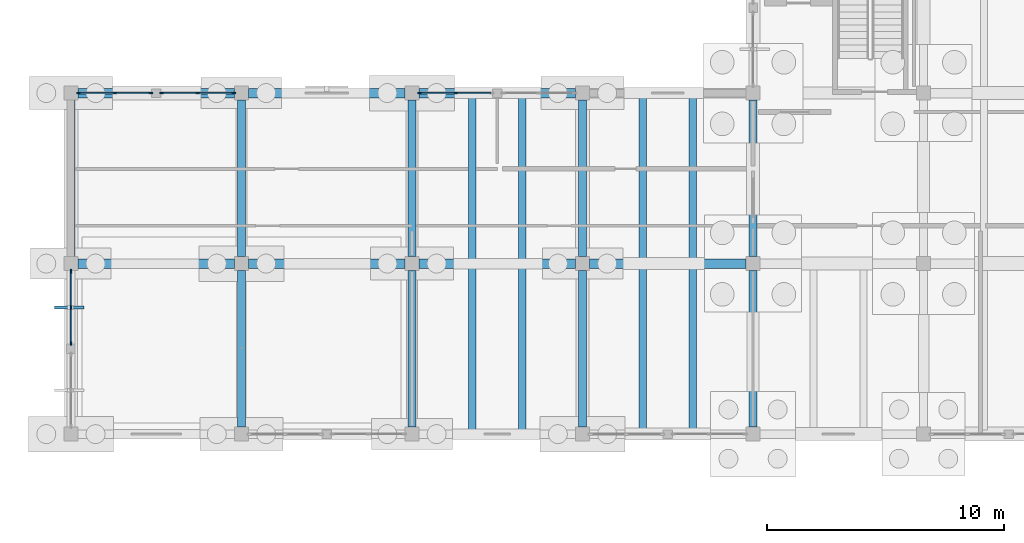
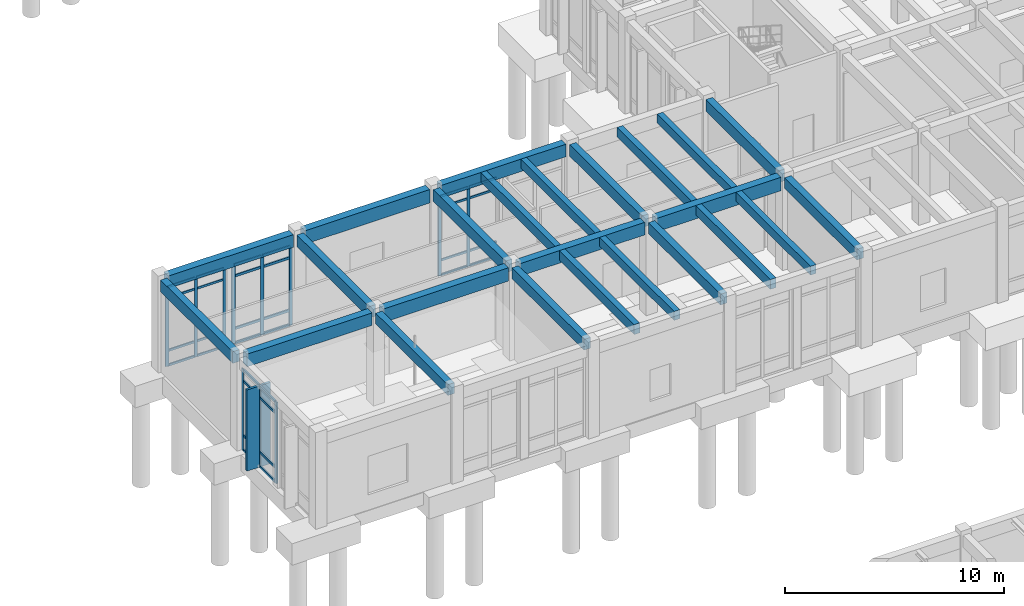
# One storey, part 22 of 93: 44 members, 24 beams, 4 elements without a shape of their own.
"""IFC4 building model written with IfcOpenShell, lengths in metres."""

from ifc_helpers import new_model, si_unit, direction, frame, origin, origin_2d, place, context, subcontext, project, spatial, rectangle, extrude, material, layer, layer_set, material_profile, profile_set, type_object, element, aggregate, save


model = new_model("IFC4")

# Units and contexts
model_context = context("Model", 3, precision=1e-05, world=origin(), true_north=direction((0.0, 1.0)))
body_context = subcontext(model_context, "Body", "Model", "MODEL_VIEW")
ifc_project = project(units=[si_unit("LENGTHUNIT", "METRE"), si_unit("AREAUNIT", "SQUARE_METRE"), si_unit("VOLUMEUNIT", "CUBIC_METRE"), si_unit("PLANEANGLEUNIT", "RADIAN"), si_unit("MASSUNIT", "GRAM", prefix="KILO")], contexts=[model_context])

# Site, building, storey
site_placement = place(None, origin())
site = spatial("IfcSite", under=ifc_project, at=site_placement, CompositionType="ELEMENT")
building_placement = place(site_placement, origin())
building = spatial("IfcBuilding", under=site, at=building_placement, Name="Koriwan Promenade Central Fire Station", CompositionType="ELEMENT")
storey_placement = place(building_placement, origin())
storey = spatial("IfcBuildingStorey", under=building, at=storey_placement, Name="L00", CompositionType="ELEMENT", Elevation=0.0)

# Beams
ifc_material_1 = material(Name="Concrete C35/45", Category="concrete")
ifc_material_profile_1 = material_profile(ifc_material_1, rectangle(XDim=0.300048828125, YDim=0.5, at=origin_2d()), Name="RC-BM-300x500")
ifc_profile_set_1 = profile_set([ifc_material_profile_1], Name="Concrete C35/45")
beam_type_1 = type_object("IfcBeamType", Name="Beam_RC-BM-300x500", PredefinedType="JOIST", material=ifc_profile_set_1)
for number, where, z_axis, x_axis, name in (
    (1, (19.055908203125, 43.375, 4.909912109375), (0.0, 1.0, 0.0), (-1.0, 0.0, 0.0), "V4 L00 secondary joist 383"),
    (2, (26.256103515625, 43.375, 4.909912109375), (0.0, 1.0, 0.0), (-1.0, 0.0, 0.0), "V4 L00 secondary joist 385"),
):
    element("IfcBeam", number, at=place(storey_placement, frame(where, z_axis=z_axis, x_axis=x_axis)), inside=storey, type_object=beam_type_1, Name=name, PredefinedType="JOIST", context=body_context, shape_type="SweptSolid", body=[
        extrude(rectangle(XDim=0.300048828125, YDim=0.5, at=origin_2d()), origin(), (0.0, 0.0, 1.0), 6.824951171875),
    ])
for number, where, z_axis, x_axis, name in (
    (3, (19.055908203125, 50.60009765625, 4.909912109375), (0.0, 1.0, 0.0), (-1.0, 0.0, 0.0), "V4 L00 secondary joist 395"),
    (4, (26.256103515625, 50.60009765625, 4.909912109375), (0.0, 1.0, 0.0), (-1.0, 0.0, 0.0), "V4 L00 secondary joist 397"),
):
    element("IfcBeam", number, at=place(storey_placement, frame(where, z_axis=z_axis, x_axis=x_axis)), inside=storey, type_object=beam_type_1, Name=name, PredefinedType="JOIST", context=body_context, shape_type="SweptSolid", body=[
        extrude(rectangle(XDim=0.300048828125, YDim=0.5, at=origin_2d()), origin(), (0.0, 0.0, 1.0), 6.7998046875),
    ])
ifc_material_profile_2 = material_profile(ifc_material_1, rectangle(XDim=0.300048828125, YDim=0.550048828125, at=origin_2d()), Name="RC-BM-300x550")
ifc_profile_set_2 = profile_set([ifc_material_profile_2], Name="Concrete C35/45")
beam_type_2 = type_object("IfcBeamType", Name="Beam_RC-BM-300x550", PredefinedType="JOIST", material=ifc_profile_set_2)
for number, where, z_axis, x_axis, name in (
    (5, (16.944091796875, 43.375, 4.885009765625), (0.0, 1.0, 0.0), (-1.0, 0.0, 0.0), "V4 L00 secondary joist 382"),
    (6, (24.14404296875, 43.375, 4.885009765625), (0.0, 1.0, 0.0), (-1.0, 0.0, 0.0), "V4 L00 secondary joist 384"),
):
    element("IfcBeam", number, at=place(storey_placement, frame(where, z_axis=z_axis, x_axis=x_axis)), inside=storey, type_object=beam_type_2, Name=name, PredefinedType="JOIST", context=body_context, shape_type="SweptSolid", body=[
        extrude(rectangle(XDim=0.300048828125, YDim=0.550048828125, at=origin_2d()), origin(), (0.0, 0.0, 1.0), 6.824951171875),
    ])
for number, where, z_axis, x_axis, name in (
    (7, (16.944091796875, 50.60009765625, 4.885009765625), (0.0, 1.0, 0.0), (-1.0, 0.0, 0.0), "V4 L00 secondary joist 394"),
    (8, (24.14404296875, 50.60009765625, 4.885009765625), (0.0, 1.0, 0.0), (-1.0, 0.0, 0.0), "V4 L00 secondary joist 396"),
):
    element("IfcBeam", number, at=place(storey_placement, frame(where, z_axis=z_axis, x_axis=x_axis)), inside=storey, type_object=beam_type_2, Name=name, PredefinedType="JOIST", context=body_context, shape_type="SweptSolid", body=[
        extrude(rectangle(XDim=0.300048828125, YDim=0.550048828125, at=origin_2d()), origin(), (0.0, 0.0, 1.0), 6.7998046875),
    ])
ifc_material_profile_3 = material_profile(ifc_material_1, rectangle(XDim=0.35009765625, YDim=0.60009765625, at=origin_2d()), Name="RC-BM-350x600")
ifc_profile_set_3 = profile_set([ifc_material_profile_3], Name="Concrete C35/45")
beam_type_3 = type_object("IfcBeamType", Name="Beam_RC-BM-350x600", PredefinedType="BEAM", material=ifc_profile_set_3)
for number, where, z_axis, x_axis, name in (
    (9, (7.199951171875, 43.5, 4.85009765625), (0.0, 1.0, 0.0), (-1.0, 0.0, 0.0), "V4 L00 girder Y-356"),
    (10, (14.39990234375, 43.5, 4.860107421875), (0.0, 1.0, 0.0), (-1.0, 0.0, 0.0), "V4 L00 girder Y-358"),
    (11, (21.60009765625, 43.5, 4.860107421875), (0.0, 1.0, 0.0), (-1.0, 0.0, 0.0), "V4 L00 girder Y-360"),
    (12, (28.800048828125, 43.5, 4.85009765625), (0.0, 1.0, 0.0), (-1.0, 0.0, 0.0), "V4 L00 girder Y-362"),
):
    element("IfcBeam", number, at=place(storey_placement, frame(where, z_axis=z_axis, x_axis=x_axis)), inside=storey, type_object=beam_type_3, Name=name, PredefinedType="BEAM", context=body_context, shape_type="SweptSolid", body=[
        extrude(rectangle(XDim=0.35009765625, YDim=0.60009765625, at=origin_2d()), origin(), (0.0, 0.0, 1.0), 6.60009765625),
    ])
ifc_material_profile_4 = material_profile(ifc_material_1, rectangle(XDim=0.35009765625, YDim=0.64990234375, at=origin_2d()), Name="RC-BM-350x650")
ifc_profile_set_4 = profile_set([ifc_material_profile_4], Name="Concrete C35/45")
beam_type_4 = type_object("IfcBeamType", Name="Beam_RC-BM-350x650", PredefinedType="BEAM", material=ifc_profile_set_4)
for number, where, z_axis, x_axis, name in (
    (13, (0.0, 50.699951171875, 4.824951171875), (0.0, 1.0, 0.0), (-1.0, 0.0, 0.0), "V4 L00 girder Y-355"),
    (14, (7.199951171875, 50.699951171875, 4.824951171875), (0.0, 1.0, 0.0), (-1.0, 0.0, 0.0), "V4 L00 girder Y-357"),
    (15, (14.39990234375, 50.699951171875, 4.8349609375), (0.0, 1.0, 0.0), (-1.0, 0.0, 0.0), "V4 L00 girder Y-359"),
    (16, (21.60009765625, 50.699951171875, 4.8349609375), (0.0, 1.0, 0.0), (-1.0, 0.0, 0.0), "V4 L00 girder Y-361"),
    (17, (28.800048828125, 50.699951171875, 4.824951171875), (0.0, 1.0, 0.0), (-1.0, 0.0, 0.0), "V4 L00 girder Y-363"),
):
    element("IfcBeam", number, at=place(storey_placement, frame(where, z_axis=z_axis, x_axis=x_axis)), inside=storey, type_object=beam_type_4, Name=name, PredefinedType="BEAM", context=body_context, shape_type="SweptSolid", body=[
        extrude(rectangle(XDim=0.35009765625, YDim=0.64990234375, at=origin_2d()), origin(), (0.0, 0.0, 1.0), 6.60009765625),
    ])
ifc_material_profile_5 = material_profile(ifc_material_1, rectangle(XDim=0.39990234375, YDim=0.699951171875, at=origin_2d()), Name="RC-BM-400x700")
ifc_profile_set_5 = profile_set([ifc_material_profile_5], Name="Concrete C35/45")
beam_type_5 = type_object("IfcBeamType", Name="Beam_RC-BM-400x700", PredefinedType="BEAM", material=ifc_profile_set_5)
beam_1_placement = place(storey_placement, frame((0.300048828125, 50.39990234375, 4.800048828125), z_axis=(1.0, 0.0, 0.0), x_axis=(0.0, 1.0, 0.0)))
element("IfcBeam", 18, at=beam_1_placement, inside=storey, type_object=beam_type_5, Name="V4 L00 girder X-332", PredefinedType="BEAM", context=body_context, shape_type="SweptSolid", body=[
    extrude(rectangle(XDim=0.39990234375, YDim=0.699951171875, at=origin_2d()), origin(), (0.0, 0.0, 1.0), 6.599853515625),
])
beam_2_placement = place(storey_placement, frame((14.699951171875, 50.39990234375, 4.81005859375), z_axis=(1.0, 0.0, 0.0), x_axis=(0.0, 1.0, 0.0)))
element("IfcBeam", 19, at=beam_2_placement, inside=storey, type_object=beam_type_5, Name="V4 L00 girder X-334", PredefinedType="BEAM", context=body_context, shape_type="SweptSolid", body=[
    extrude(rectangle(XDim=0.39990234375, YDim=0.699951171875, at=origin_2d()), origin(), (0.0, 0.0, 1.0), 6.60009765625),
])
beam_3_placement = place(storey_placement, frame((0.300048828125, 57.60009765625, 4.800048828125), z_axis=(1.0, 0.0, 0.0), x_axis=(0.0, 1.0, 0.0)))
element("IfcBeam", 20, at=beam_3_placement, inside=storey, type_object=beam_type_5, Name="V4 L00 girder X-340", PredefinedType="BEAM", context=body_context, shape_type="SweptSolid", body=[
    extrude(rectangle(XDim=0.39990234375, YDim=0.699951171875, at=origin_2d()), origin(), (0.0, 0.0, 1.0), 6.599853515625),
])
beam_4_placement = place(storey_placement, frame((14.699951171875, 57.60009765625, 4.81005859375), z_axis=(1.0, 0.0, 0.0), x_axis=(0.0, 1.0, 0.0)))
element("IfcBeam", 21, at=beam_4_placement, inside=storey, type_object=beam_type_5, Name="V4 L00 girder X-342", PredefinedType="BEAM", context=body_context, shape_type="SweptSolid", body=[
    extrude(rectangle(XDim=0.39990234375, YDim=0.699951171875, at=origin_2d()), origin(), (0.0, 0.0, 1.0), 6.60009765625),
])
ifc_material_profile_6 = material_profile(ifc_material_1, rectangle(XDim=0.39990234375, YDim=0.75, at=origin_2d()), Name="RC-BM-400x750")
ifc_profile_set_6 = profile_set([ifc_material_profile_6], Name="Concrete C35/45")
beam_type_6 = type_object("IfcBeamType", Name="Beam_RC-BM-400x750", PredefinedType="BEAM", material=ifc_profile_set_6)
for number, where, z_axis, x_axis, name in (
    (22, (7.5, 50.39990234375, 4.77490234375), (1.0, 0.0, 0.0), (0.0, 1.0, 0.0), "V4 L00 girder X-333"),
    (23, (21.89990234375, 50.39990234375, 4.784912109375), (1.0, 0.0, 0.0), (0.0, 1.0, 0.0), "V4 L00 girder X-335"),
    (24, (7.5, 57.60009765625, 4.77490234375), (1.0, 0.0, 0.0), (0.0, 1.0, 0.0), "V4 L00 girder X-341"),
):
    element("IfcBeam", number, at=place(storey_placement, frame(where, z_axis=z_axis, x_axis=x_axis)), inside=storey, type_object=beam_type_6, Name=name, PredefinedType="BEAM", context=body_context, shape_type="SweptSolid", body=[
        extrude(rectangle(XDim=0.39990234375, YDim=0.75, at=origin_2d()), origin(), (0.0, 0.0, 1.0), 6.60009765625),
    ])

# Curtain wall, members
ifc_material_2 = material(Name="Aluminium EN AW-6063-T6 and low-E glazing", Category="aluminium")
ifc_layer_1 = layer(ifc_material_2, 0.159912109375, Name="Aluminium EN AW-6063-T6 and low-E glazing")
ifc_layer_set_1 = layer_set([ifc_layer_1], Name="Aluminium EN AW-6063-T6 and low-E glazing")
curtain_wall_type_1 = type_object("IfcCurtainWallType", Name="CurtainWall_35_310x444", PredefinedType="USERDEFINED", material=ifc_layer_set_1)
curtain_wall_1_placement = place(storey_placement, origin())
curtain_wall_1 = element("IfcCurtainWall", 25, at=curtain_wall_1_placement, inside=storey, type_object=curtain_wall_type_1, Name="V4 L00 unitised curtain wall 083", ObjectType="UNITISED CURTAIN WALL", PredefinedType="USERDEFINED")
ifc_material_3 = material(Name="Aluminium EN AW-6063-T6", Category="aluminium")
ifc_material_profile_7 = material_profile(ifc_material_3, rectangle(XDim=0.06494140625, YDim=0.159912109375, at=origin_2d()), Name="ALU-MUL-65x160")
ifc_profile_set_7 = profile_set([ifc_material_profile_7], Name="Aluminium EN AW-6063-T6")
member_type_1 = type_object("IfcMemberType", Name="CWMullion_ALU-MUL-65x160", PredefinedType="MULLION", material=ifc_profile_set_7)
member_1_placement = place(storey_placement, frame((0.33251953125, 57.60009765625, 0.0), z_axis=(0.0, 0.0, 1.0), x_axis=(0.0, 1.0, 0.0)))
member_1 = element("IfcMember", 26, at=member_1_placement, type_object=member_type_1, Name="CW-35 mullion 1", PredefinedType="MULLION", context=body_context, shape_type="SweptSolid", body=[
    extrude(rectangle(XDim=0.06494140625, YDim=0.159912109375, at=origin_2d()), origin(), (0.0, 0.0, 1.0), 4.43994140625),
])
member_2_placement = place(storey_placement, frame((1.85009765625, 57.60009765625, 0.0), z_axis=(0.0, 0.0, 1.0), x_axis=(0.0, 1.0, 0.0)))
member_2 = element("IfcMember", 27, at=member_2_placement, type_object=member_type_1, Name="CW-35 mullion 2", PredefinedType="MULLION", context=body_context, shape_type="SweptSolid", body=[
    extrude(rectangle(XDim=0.06494140625, YDim=0.159912109375, at=origin_2d()), origin(), (0.0, 0.0, 1.0), 4.43994140625),
])
member_3_placement = place(storey_placement, frame((3.367431640625, 57.60009765625, 0.0), z_axis=(0.0, 0.0, 1.0), x_axis=(0.0, 1.0, 0.0)))
member_3 = element("IfcMember", 28, at=member_3_placement, type_object=member_type_1, Name="CW-35 mullion 3", PredefinedType="MULLION", context=body_context, shape_type="SweptSolid", body=[
    extrude(rectangle(XDim=0.06494140625, YDim=0.159912109375, at=origin_2d()), origin(), (0.0, 0.0, 1.0), 4.43994140625),
])

ifc_layer_2 = layer(ifc_material_2, 0.159912109375, Name="Aluminium EN AW-6063-T6 and low-E glazing")
ifc_layer_set_2 = layer_set([ifc_layer_2], Name="Aluminium EN AW-6063-T6 and low-E glazing")
curtain_wall_type_2 = type_object("IfcCurtainWallType", Name="CurtainWall_37_310x445", PredefinedType="USERDEFINED", material=ifc_layer_set_2)
curtain_wall_2_placement = place(storey_placement, origin())
curtain_wall_2 = element("IfcCurtainWall", 29, at=curtain_wall_2_placement, inside=storey, type_object=curtain_wall_type_2, Name="V4 L00 unitised curtain wall 085", ObjectType="UNITISED CURTAIN WALL", PredefinedType="USERDEFINED")
member_4_placement = place(storey_placement, frame((14.732421875, 57.60009765625, 0.0), z_axis=(0.0, 0.0, 1.0), x_axis=(0.0, 1.0, 0.0)))
member_4 = element("IfcMember", 30, at=member_4_placement, type_object=member_type_1, Name="CW-37 mullion 1", PredefinedType="MULLION", context=body_context, shape_type="SweptSolid", body=[
    extrude(rectangle(XDim=0.06494140625, YDim=0.159912109375, at=origin_2d()), origin(), (0.0, 0.0, 1.0), 4.449951171875),
])
member_5_placement = place(storey_placement, frame((16.25, 57.60009765625, 0.0), z_axis=(0.0, 0.0, 1.0), x_axis=(0.0, 1.0, 0.0)))
member_5 = element("IfcMember", 31, at=member_5_placement, type_object=member_type_1, Name="CW-37 mullion 2", PredefinedType="MULLION", context=body_context, shape_type="SweptSolid", body=[
    extrude(rectangle(XDim=0.06494140625, YDim=0.159912109375, at=origin_2d()), origin(), (0.0, 0.0, 1.0), 4.449951171875),
])

ifc_layer_3 = layer(ifc_material_2, 0.159912109375, Name="Aluminium EN AW-6063-T6 and low-E glazing")
ifc_layer_set_3 = layer_set([ifc_layer_3], Name="Aluminium EN AW-6063-T6 and low-E glazing")
curtain_wall_type_3 = type_object("IfcCurtainWallType", Name="CurtainWall_34_310x454", PredefinedType="USERDEFINED", material=ifc_layer_set_3)
curtain_wall_3_placement = place(storey_placement, origin())
curtain_wall_3 = element("IfcCurtainWall", 32, at=curtain_wall_3_placement, inside=storey, type_object=curtain_wall_type_3, Name="V4 L00 unitised curtain wall 082", ObjectType="UNITISED CURTAIN WALL", PredefinedType="USERDEFINED")
ifc_material_profile_8 = material_profile(ifc_material_3, rectangle(XDim=0.074951171875, YDim=0.179931640625, at=origin_2d()), Name="ALU-MUL-75x180")
ifc_profile_set_8 = profile_set([ifc_material_profile_8], Name="Aluminium EN AW-6063-T6")
member_type_2 = type_object("IfcMemberType", Name="CWMullion_ALU-MUL-75x180", PredefinedType="MULLION", material=ifc_profile_set_8)
member_6_placement = place(storey_placement, frame((0.0, 47.03759765625, 0.0), z_axis=(0.0, 0.0, 1.0), x_axis=(-1.0, 0.0, 0.0)))
member_6 = element("IfcMember", 33, at=member_6_placement, type_object=member_type_2, Name="CW-34 mullion 1", PredefinedType="MULLION", context=body_context, shape_type="SweptSolid", body=[
    extrude(rectangle(XDim=0.074951171875, YDim=0.179931640625, at=origin_2d()), origin(), (0.0, 0.0, 1.0), 4.5400390625),
])
member_7_placement = place(storey_placement, frame((0.0, 48.550048828125, 0.0), z_axis=(0.0, 0.0, 1.0), x_axis=(-1.0, 0.0, 0.0)))
member_7 = element("IfcMember", 34, at=member_7_placement, type_object=member_type_2, Name="CW-34 mullion 2", PredefinedType="MULLION", context=body_context, shape_type="SweptSolid", body=[
    extrude(rectangle(XDim=0.074951171875, YDim=0.179931640625, at=origin_2d()), origin(), (0.0, 0.0, 1.0), 4.5400390625),
])
member_8_placement = place(storey_placement, frame((0.0, 50.0625, 0.0), z_axis=(0.0, 0.0, 1.0), x_axis=(-1.0, 0.0, 0.0)))
member_8 = element("IfcMember", 35, at=member_8_placement, type_object=member_type_2, Name="CW-34 mullion 3", PredefinedType="MULLION", context=body_context, shape_type="SweptSolid", body=[
    extrude(rectangle(XDim=0.074951171875, YDim=0.179931640625, at=origin_2d()), origin(), (0.0, 0.0, 1.0), 4.5400390625),
])

ifc_layer_4 = layer(ifc_material_2, 0.159912109375, Name="Aluminium EN AW-6063-T6 and low-E glazing")
ifc_layer_set_4 = layer_set([ifc_layer_4], Name="Aluminium EN AW-6063-T6 and low-E glazing")
curtain_wall_type_4 = type_object("IfcCurtainWallType", Name="CurtainWall_36_310x444", PredefinedType="USERDEFINED", material=ifc_layer_set_4)
curtain_wall_4_placement = place(storey_placement, origin())
curtain_wall_4 = element("IfcCurtainWall", 36, at=curtain_wall_4_placement, inside=storey, type_object=curtain_wall_type_4, Name="V4 L00 unitised curtain wall 084", ObjectType="UNITISED CURTAIN WALL", PredefinedType="USERDEFINED")
member_9_placement = place(storey_placement, frame((3.83740234375, 57.60009765625, 0.0), z_axis=(0.0, 0.0, 1.0), x_axis=(0.0, 1.0, 0.0)))
member_9 = element("IfcMember", 37, at=member_9_placement, type_object=member_type_2, Name="CW-36 mullion 1", PredefinedType="MULLION", context=body_context, shape_type="SweptSolid", body=[
    extrude(rectangle(XDim=0.074951171875, YDim=0.179931640625, at=origin_2d()), origin(), (0.0, 0.0, 1.0), 4.43994140625),
])
member_10_placement = place(storey_placement, frame((5.35009765625, 57.60009765625, 0.0), z_axis=(0.0, 0.0, 1.0), x_axis=(0.0, 1.0, 0.0)))
member_10 = element("IfcMember", 38, at=member_10_placement, type_object=member_type_2, Name="CW-36 mullion 2", PredefinedType="MULLION", context=body_context, shape_type="SweptSolid", body=[
    extrude(rectangle(XDim=0.074951171875, YDim=0.179931640625, at=origin_2d()), origin(), (0.0, 0.0, 1.0), 4.43994140625),
])
member_11_placement = place(storey_placement, frame((6.862548828125, 57.60009765625, 0.0), z_axis=(0.0, 0.0, 1.0), x_axis=(0.0, 1.0, 0.0)))
member_11 = element("IfcMember", 39, at=member_11_placement, type_object=member_type_2, Name="CW-36 mullion 3", PredefinedType="MULLION", context=body_context, shape_type="SweptSolid", body=[
    extrude(rectangle(XDim=0.074951171875, YDim=0.179931640625, at=origin_2d()), origin(), (0.0, 0.0, 1.0), 4.43994140625),
])

# Member
ifc_material_profile_9 = material_profile(ifc_material_3, rectangle(XDim=0.06494140625, YDim=0.1201171875, at=origin_2d()), Name="ALU-TRN-65x120")
ifc_profile_set_9 = profile_set([ifc_material_profile_9], Name="Aluminium EN AW-6063-T6")
member_type_3 = type_object("IfcMemberType", Name="CWTransom_ALU-TRN-65x120", PredefinedType="USERDEFINED", material=ifc_profile_set_9)
member_12_placement = place(storey_placement, frame((0.364990234375, 57.60009765625, 0.032470703125), z_axis=(1.0, 0.0, 0.0), x_axis=(0.0, 1.0, 0.0)))
member_12 = element("IfcMember", 40, at=member_12_placement, type_object=member_type_3, Name="CW-35 transom 1.1", ObjectType="TRANSOM", PredefinedType="USERDEFINED", context=body_context, shape_type="SweptSolid", body=[
    extrude(rectangle(XDim=0.06494140625, YDim=0.1201171875, at=origin_2d()), origin(), (0.0, 0.0, 1.0), 1.452392578125),
])

member_13_placement = place(storey_placement, frame((0.364990234375, 57.60009765625, 0.85009765625), z_axis=(1.0, 0.0, 0.0), x_axis=(0.0, 1.0, 0.0)))
member_13 = element("IfcMember", 41, at=member_13_placement, type_object=member_type_3, Name="CW-35 transom 1.2", ObjectType="TRANSOM", PredefinedType="USERDEFINED", context=body_context, shape_type="SweptSolid", body=[
    extrude(rectangle(XDim=0.06494140625, YDim=0.1201171875, at=origin_2d()), origin(), (0.0, 0.0, 1.0), 1.452392578125),
])

member_14_placement = place(storey_placement, frame((0.364990234375, 57.60009765625, 3.7900390625), z_axis=(1.0, 0.0, 0.0), x_axis=(0.0, 1.0, 0.0)))
member_14 = element("IfcMember", 42, at=member_14_placement, type_object=member_type_3, Name="CW-35 transom 1.3", ObjectType="TRANSOM", PredefinedType="USERDEFINED", context=body_context, shape_type="SweptSolid", body=[
    extrude(rectangle(XDim=0.06494140625, YDim=0.1201171875, at=origin_2d()), origin(), (0.0, 0.0, 1.0), 1.452392578125),
])

member_15_placement = place(storey_placement, frame((0.364990234375, 57.60009765625, 4.407470703125), z_axis=(1.0, 0.0, 0.0), x_axis=(0.0, 1.0, 0.0)))
member_15 = element("IfcMember", 43, at=member_15_placement, type_object=member_type_3, Name="CW-35 transom 1.4", ObjectType="TRANSOM", PredefinedType="USERDEFINED", context=body_context, shape_type="SweptSolid", body=[
    extrude(rectangle(XDim=0.06494140625, YDim=0.1201171875, at=origin_2d()), origin(), (0.0, 0.0, 1.0), 1.452392578125),
])

member_16_placement = place(storey_placement, frame((1.882568359375, 57.60009765625, 0.032470703125), z_axis=(1.0, 0.0, 0.0), x_axis=(0.0, 1.0, 0.0)))
member_16 = element("IfcMember", 44, at=member_16_placement, type_object=member_type_3, Name="CW-35 transom 2.1", ObjectType="TRANSOM", PredefinedType="USERDEFINED", context=body_context, shape_type="SweptSolid", body=[
    extrude(rectangle(XDim=0.06494140625, YDim=0.1201171875, at=origin_2d()), origin(), (0.0, 0.0, 1.0), 1.452392578125),
])

member_17_placement = place(storey_placement, frame((1.882568359375, 57.60009765625, 0.85009765625), z_axis=(1.0, 0.0, 0.0), x_axis=(0.0, 1.0, 0.0)))
member_17 = element("IfcMember", 45, at=member_17_placement, type_object=member_type_3, Name="CW-35 transom 2.2", ObjectType="TRANSOM", PredefinedType="USERDEFINED", context=body_context, shape_type="SweptSolid", body=[
    extrude(rectangle(XDim=0.06494140625, YDim=0.1201171875, at=origin_2d()), origin(), (0.0, 0.0, 1.0), 1.452392578125),
])

member_18_placement = place(storey_placement, frame((1.882568359375, 57.60009765625, 3.7900390625), z_axis=(1.0, 0.0, 0.0), x_axis=(0.0, 1.0, 0.0)))
member_18 = element("IfcMember", 46, at=member_18_placement, type_object=member_type_3, Name="CW-35 transom 2.3", ObjectType="TRANSOM", PredefinedType="USERDEFINED", context=body_context, shape_type="SweptSolid", body=[
    extrude(rectangle(XDim=0.06494140625, YDim=0.1201171875, at=origin_2d()), origin(), (0.0, 0.0, 1.0), 1.452392578125),
])

member_19_placement = place(storey_placement, frame((1.882568359375, 57.60009765625, 4.407470703125), z_axis=(1.0, 0.0, 0.0), x_axis=(0.0, 1.0, 0.0)))
member_19 = element("IfcMember", 47, at=member_19_placement, type_object=member_type_3, Name="CW-35 transom 2.4", ObjectType="TRANSOM", PredefinedType="USERDEFINED", context=body_context, shape_type="SweptSolid", body=[
    extrude(rectangle(XDim=0.06494140625, YDim=0.1201171875, at=origin_2d()), origin(), (0.0, 0.0, 1.0), 1.452392578125),
])

aggregate(curtain_wall_1, [member_1, member_2, member_3, member_12, member_13, member_14, member_15, member_16, member_17, member_18, member_19])

member_20_placement = place(storey_placement, frame((14.764892578125, 57.60009765625, 0.032470703125), z_axis=(1.0, 0.0, 0.0), x_axis=(0.0, 1.0, 0.0)))
member_20 = element("IfcMember", 48, at=member_20_placement, type_object=member_type_3, Name="CW-37 transom 1.1", ObjectType="TRANSOM", PredefinedType="USERDEFINED", context=body_context, shape_type="SweptSolid", body=[
    extrude(rectangle(XDim=0.06494140625, YDim=0.1201171875, at=origin_2d()), origin(), (0.0, 0.0, 1.0), 1.45263671875),
])

member_21_placement = place(storey_placement, frame((14.764892578125, 57.60009765625, 0.85009765625), z_axis=(1.0, 0.0, 0.0), x_axis=(0.0, 1.0, 0.0)))
member_21 = element("IfcMember", 49, at=member_21_placement, type_object=member_type_3, Name="CW-37 transom 1.2", ObjectType="TRANSOM", PredefinedType="USERDEFINED", context=body_context, shape_type="SweptSolid", body=[
    extrude(rectangle(XDim=0.06494140625, YDim=0.1201171875, at=origin_2d()), origin(), (0.0, 0.0, 1.0), 1.45263671875),
])

member_22_placement = place(storey_placement, frame((14.764892578125, 57.60009765625, 3.800048828125), z_axis=(1.0, 0.0, 0.0), x_axis=(0.0, 1.0, 0.0)))
member_22 = element("IfcMember", 50, at=member_22_placement, type_object=member_type_3, Name="CW-37 transom 1.3", ObjectType="TRANSOM", PredefinedType="USERDEFINED", context=body_context, shape_type="SweptSolid", body=[
    extrude(rectangle(XDim=0.06494140625, YDim=0.1201171875, at=origin_2d()), origin(), (0.0, 0.0, 1.0), 1.45263671875),
])

member_23_placement = place(storey_placement, frame((14.764892578125, 57.60009765625, 4.41748046875), z_axis=(1.0, 0.0, 0.0), x_axis=(0.0, 1.0, 0.0)))
member_23 = element("IfcMember", 51, at=member_23_placement, type_object=member_type_3, Name="CW-37 transom 1.4", ObjectType="TRANSOM", PredefinedType="USERDEFINED", context=body_context, shape_type="SweptSolid", body=[
    extrude(rectangle(XDim=0.06494140625, YDim=0.1201171875, at=origin_2d()), origin(), (0.0, 0.0, 1.0), 1.45263671875),
])

member_24_placement = place(storey_placement, frame((16.282470703125, 57.60009765625, 0.032470703125), z_axis=(1.0, 0.0, 0.0), x_axis=(0.0, 1.0, 0.0)))
member_24 = element("IfcMember", 52, at=member_24_placement, type_object=member_type_3, Name="CW-37 transom 2.1", ObjectType="TRANSOM", PredefinedType="USERDEFINED", context=body_context, shape_type="SweptSolid", body=[
    extrude(rectangle(XDim=0.06494140625, YDim=0.1201171875, at=origin_2d()), origin(), (0.0, 0.0, 1.0), 1.45263671875),
])

member_25_placement = place(storey_placement, frame((16.282470703125, 57.60009765625, 0.85009765625), z_axis=(1.0, 0.0, 0.0), x_axis=(0.0, 1.0, 0.0)))
member_25 = element("IfcMember", 53, at=member_25_placement, type_object=member_type_3, Name="CW-37 transom 2.2", ObjectType="TRANSOM", PredefinedType="USERDEFINED", context=body_context, shape_type="SweptSolid", body=[
    extrude(rectangle(XDim=0.06494140625, YDim=0.1201171875, at=origin_2d()), origin(), (0.0, 0.0, 1.0), 1.45263671875),
])

member_26_placement = place(storey_placement, frame((16.282470703125, 57.60009765625, 3.800048828125), z_axis=(1.0, 0.0, 0.0), x_axis=(0.0, 1.0, 0.0)))
member_26 = element("IfcMember", 54, at=member_26_placement, type_object=member_type_3, Name="CW-37 transom 2.3", ObjectType="TRANSOM", PredefinedType="USERDEFINED", context=body_context, shape_type="SweptSolid", body=[
    extrude(rectangle(XDim=0.06494140625, YDim=0.1201171875, at=origin_2d()), origin(), (0.0, 0.0, 1.0), 1.45263671875),
])

member_27_placement = place(storey_placement, frame((16.282470703125, 57.60009765625, 4.41748046875), z_axis=(1.0, 0.0, 0.0), x_axis=(0.0, 1.0, 0.0)))
member_27 = element("IfcMember", 55, at=member_27_placement, type_object=member_type_3, Name="CW-37 transom 2.4", ObjectType="TRANSOM", PredefinedType="USERDEFINED", context=body_context, shape_type="SweptSolid", body=[
    extrude(rectangle(XDim=0.06494140625, YDim=0.1201171875, at=origin_2d()), origin(), (0.0, 0.0, 1.0), 1.45263671875),
])

aggregate(curtain_wall_2, [member_4, member_5, member_20, member_21, member_22, member_23, member_24, member_25, member_26, member_27])

ifc_material_profile_10 = material_profile(ifc_material_3, rectangle(XDim=0.074951171875, YDim=0.139892578125, at=origin_2d()), Name="ALU-TRN-75x140")
ifc_profile_set_10 = profile_set([ifc_material_profile_10], Name="Aluminium EN AW-6063-T6")
member_type_4 = type_object("IfcMemberType", Name="CWTransom_ALU-TRN-75x140", PredefinedType="USERDEFINED", material=ifc_profile_set_10)
member_28_placement = place(storey_placement, frame((0.0, 47.074951171875, 0.03759765625), z_axis=(0.0, 1.0, 0.0), x_axis=(-1.0, 0.0, 0.0)))
member_28 = element("IfcMember", 56, at=member_28_placement, type_object=member_type_4, Name="CW-34 transom 1.1", ObjectType="TRANSOM", PredefinedType="USERDEFINED", context=body_context, shape_type="SweptSolid", body=[
    extrude(rectangle(XDim=0.074951171875, YDim=0.139892578125, at=origin_2d()), origin(), (0.0, 0.0, 1.0), 1.4375),
])

member_29_placement = place(storey_placement, frame((0.0, 47.074951171875, 0.85009765625), z_axis=(0.0, 1.0, 0.0), x_axis=(-1.0, 0.0, 0.0)))
member_29 = element("IfcMember", 57, at=member_29_placement, type_object=member_type_4, Name="CW-34 transom 1.2", ObjectType="TRANSOM", PredefinedType="USERDEFINED", context=body_context, shape_type="SweptSolid", body=[
    extrude(rectangle(XDim=0.074951171875, YDim=0.139892578125, at=origin_2d()), origin(), (0.0, 0.0, 1.0), 1.4375),
])

member_30_placement = place(storey_placement, frame((0.0, 47.074951171875, 3.889892578125), z_axis=(0.0, 1.0, 0.0), x_axis=(-1.0, 0.0, 0.0)))
member_30 = element("IfcMember", 58, at=member_30_placement, type_object=member_type_4, Name="CW-34 transom 1.3", ObjectType="TRANSOM", PredefinedType="USERDEFINED", context=body_context, shape_type="SweptSolid", body=[
    extrude(rectangle(XDim=0.074951171875, YDim=0.139892578125, at=origin_2d()), origin(), (0.0, 0.0, 1.0), 1.4375),
])

member_31_placement = place(storey_placement, frame((0.0, 47.074951171875, 4.50244140625), z_axis=(0.0, 1.0, 0.0), x_axis=(-1.0, 0.0, 0.0)))
member_31 = element("IfcMember", 59, at=member_31_placement, type_object=member_type_4, Name="CW-34 transom 1.4", ObjectType="TRANSOM", PredefinedType="USERDEFINED", context=body_context, shape_type="SweptSolid", body=[
    extrude(rectangle(XDim=0.074951171875, YDim=0.139892578125, at=origin_2d()), origin(), (0.0, 0.0, 1.0), 1.4375),
])

member_32_placement = place(storey_placement, frame((0.0, 48.58740234375, 0.03759765625), z_axis=(0.0, 1.0, 0.0), x_axis=(-1.0, 0.0, 0.0)))
member_32 = element("IfcMember", 60, at=member_32_placement, type_object=member_type_4, Name="CW-34 transom 2.1", ObjectType="TRANSOM", PredefinedType="USERDEFINED", context=body_context, shape_type="SweptSolid", body=[
    extrude(rectangle(XDim=0.074951171875, YDim=0.139892578125, at=origin_2d()), origin(), (0.0, 0.0, 1.0), 1.4375),
])

member_33_placement = place(storey_placement, frame((0.0, 48.58740234375, 0.85009765625), z_axis=(0.0, 1.0, 0.0), x_axis=(-1.0, 0.0, 0.0)))
member_33 = element("IfcMember", 61, at=member_33_placement, type_object=member_type_4, Name="CW-34 transom 2.2", ObjectType="TRANSOM", PredefinedType="USERDEFINED", context=body_context, shape_type="SweptSolid", body=[
    extrude(rectangle(XDim=0.074951171875, YDim=0.139892578125, at=origin_2d()), origin(), (0.0, 0.0, 1.0), 1.4375),
])

member_34_placement = place(storey_placement, frame((0.0, 48.58740234375, 3.889892578125), z_axis=(0.0, 1.0, 0.0), x_axis=(-1.0, 0.0, 0.0)))
member_34 = element("IfcMember", 62, at=member_34_placement, type_object=member_type_4, Name="CW-34 transom 2.3", ObjectType="TRANSOM", PredefinedType="USERDEFINED", context=body_context, shape_type="SweptSolid", body=[
    extrude(rectangle(XDim=0.074951171875, YDim=0.139892578125, at=origin_2d()), origin(), (0.0, 0.0, 1.0), 1.4375),
])

member_35_placement = place(storey_placement, frame((0.0, 48.58740234375, 4.50244140625), z_axis=(0.0, 1.0, 0.0), x_axis=(-1.0, 0.0, 0.0)))
member_35 = element("IfcMember", 63, at=member_35_placement, type_object=member_type_4, Name="CW-34 transom 2.4", ObjectType="TRANSOM", PredefinedType="USERDEFINED", context=body_context, shape_type="SweptSolid", body=[
    extrude(rectangle(XDim=0.074951171875, YDim=0.139892578125, at=origin_2d()), origin(), (0.0, 0.0, 1.0), 1.4375),
])

aggregate(curtain_wall_3, [member_6, member_7, member_8, member_28, member_29, member_30, member_31, member_32, member_33, member_34, member_35])

member_36_placement = place(storey_placement, frame((3.875, 57.60009765625, 0.03759765625), z_axis=(1.0, 0.0, 0.0), x_axis=(0.0, 1.0, 0.0)))
member_36 = element("IfcMember", 64, at=member_36_placement, type_object=member_type_4, Name="CW-36 transom 1.1", ObjectType="TRANSOM", PredefinedType="USERDEFINED", context=body_context, shape_type="SweptSolid", body=[
    extrude(rectangle(XDim=0.074951171875, YDim=0.139892578125, at=origin_2d()), origin(), (0.0, 0.0, 1.0), 1.4375),
])

member_37_placement = place(storey_placement, frame((3.875, 57.60009765625, 0.85009765625), z_axis=(1.0, 0.0, 0.0), x_axis=(0.0, 1.0, 0.0)))
member_37 = element("IfcMember", 65, at=member_37_placement, type_object=member_type_4, Name="CW-36 transom 1.2", ObjectType="TRANSOM", PredefinedType="USERDEFINED", context=body_context, shape_type="SweptSolid", body=[
    extrude(rectangle(XDim=0.074951171875, YDim=0.139892578125, at=origin_2d()), origin(), (0.0, 0.0, 1.0), 1.4375),
])

member_38_placement = place(storey_placement, frame((3.875, 57.60009765625, 3.7900390625), z_axis=(1.0, 0.0, 0.0), x_axis=(0.0, 1.0, 0.0)))
member_38 = element("IfcMember", 66, at=member_38_placement, type_object=member_type_4, Name="CW-36 transom 1.3", ObjectType="TRANSOM", PredefinedType="USERDEFINED", context=body_context, shape_type="SweptSolid", body=[
    extrude(rectangle(XDim=0.074951171875, YDim=0.139892578125, at=origin_2d()), origin(), (0.0, 0.0, 1.0), 1.4375),
])

member_39_placement = place(storey_placement, frame((3.875, 57.60009765625, 4.402587890625), z_axis=(1.0, 0.0, 0.0), x_axis=(0.0, 1.0, 0.0)))
member_39 = element("IfcMember", 67, at=member_39_placement, type_object=member_type_4, Name="CW-36 transom 1.4", ObjectType="TRANSOM", PredefinedType="USERDEFINED", context=body_context, shape_type="SweptSolid", body=[
    extrude(rectangle(XDim=0.074951171875, YDim=0.139892578125, at=origin_2d()), origin(), (0.0, 0.0, 1.0), 1.4375),
])

member_40_placement = place(storey_placement, frame((5.387451171875, 57.60009765625, 0.03759765625), z_axis=(1.0, 0.0, 0.0), x_axis=(0.0, 1.0, 0.0)))
member_40 = element("IfcMember", 68, at=member_40_placement, type_object=member_type_4, Name="CW-36 transom 2.1", ObjectType="TRANSOM", PredefinedType="USERDEFINED", context=body_context, shape_type="SweptSolid", body=[
    extrude(rectangle(XDim=0.074951171875, YDim=0.139892578125, at=origin_2d()), origin(), (0.0, 0.0, 1.0), 1.4375),
])

member_41_placement = place(storey_placement, frame((5.387451171875, 57.60009765625, 0.85009765625), z_axis=(1.0, 0.0, 0.0), x_axis=(0.0, 1.0, 0.0)))
member_41 = element("IfcMember", 69, at=member_41_placement, type_object=member_type_4, Name="CW-36 transom 2.2", ObjectType="TRANSOM", PredefinedType="USERDEFINED", context=body_context, shape_type="SweptSolid", body=[
    extrude(rectangle(XDim=0.074951171875, YDim=0.139892578125, at=origin_2d()), origin(), (0.0, 0.0, 1.0), 1.4375),
])

member_42_placement = place(storey_placement, frame((5.387451171875, 57.60009765625, 3.7900390625), z_axis=(1.0, 0.0, 0.0), x_axis=(0.0, 1.0, 0.0)))
member_42 = element("IfcMember", 70, at=member_42_placement, type_object=member_type_4, Name="CW-36 transom 2.3", ObjectType="TRANSOM", PredefinedType="USERDEFINED", context=body_context, shape_type="SweptSolid", body=[
    extrude(rectangle(XDim=0.074951171875, YDim=0.139892578125, at=origin_2d()), origin(), (0.0, 0.0, 1.0), 1.4375),
])

member_43_placement = place(storey_placement, frame((5.387451171875, 57.60009765625, 4.402587890625), z_axis=(1.0, 0.0, 0.0), x_axis=(0.0, 1.0, 0.0)))
member_43 = element("IfcMember", 71, at=member_43_placement, type_object=member_type_4, Name="CW-36 transom 2.4", ObjectType="TRANSOM", PredefinedType="USERDEFINED", context=body_context, shape_type="SweptSolid", body=[
    extrude(rectangle(XDim=0.074951171875, YDim=0.139892578125, at=origin_2d()), origin(), (0.0, 0.0, 1.0), 1.4375),
])

aggregate(curtain_wall_4, [member_9, member_10, member_11, member_36, member_37, member_38, member_39, member_40, member_41, member_42, member_43])

ifc_material_4 = material(Name="Aluminium EN AW-6063-T6 terracotta finish", Category="masonry")
ifc_material_profile_11 = material_profile(ifc_material_4, rectangle(XDim=0.1201171875, YDim=1.25, at=origin_2d()), Name="FIN-TRC-120x1250")
ifc_profile_set_11 = profile_set([ifc_material_profile_11], Name="Aluminium EN AW-6063-T6 terracotta finish")
member_type_5 = type_object("IfcMemberType", Name="SolarFin_FIN-TRC-120x1250", PredefinedType="USERDEFINED", material=ifc_profile_set_11)
member_44_placement = place(storey_placement, frame((-0.074951171875, 48.550048828125, 0.0), z_axis=(0.0, 0.0, 1.0), x_axis=(0.0, 1.0, 0.0)))
element("IfcMember", 72, at=member_44_placement, inside=storey, type_object=member_type_5, Name="V4 L00 terracotta solar fin 002", ObjectType="SOLAR FIN", PredefinedType="USERDEFINED", context=body_context, shape_type="SweptSolid", body=[
    extrude(rectangle(XDim=0.1201171875, YDim=1.25, at=origin_2d()), origin(), (0.0, 0.0, 1.0), 4.5400390625),
])

save(model, "model.ifc")
